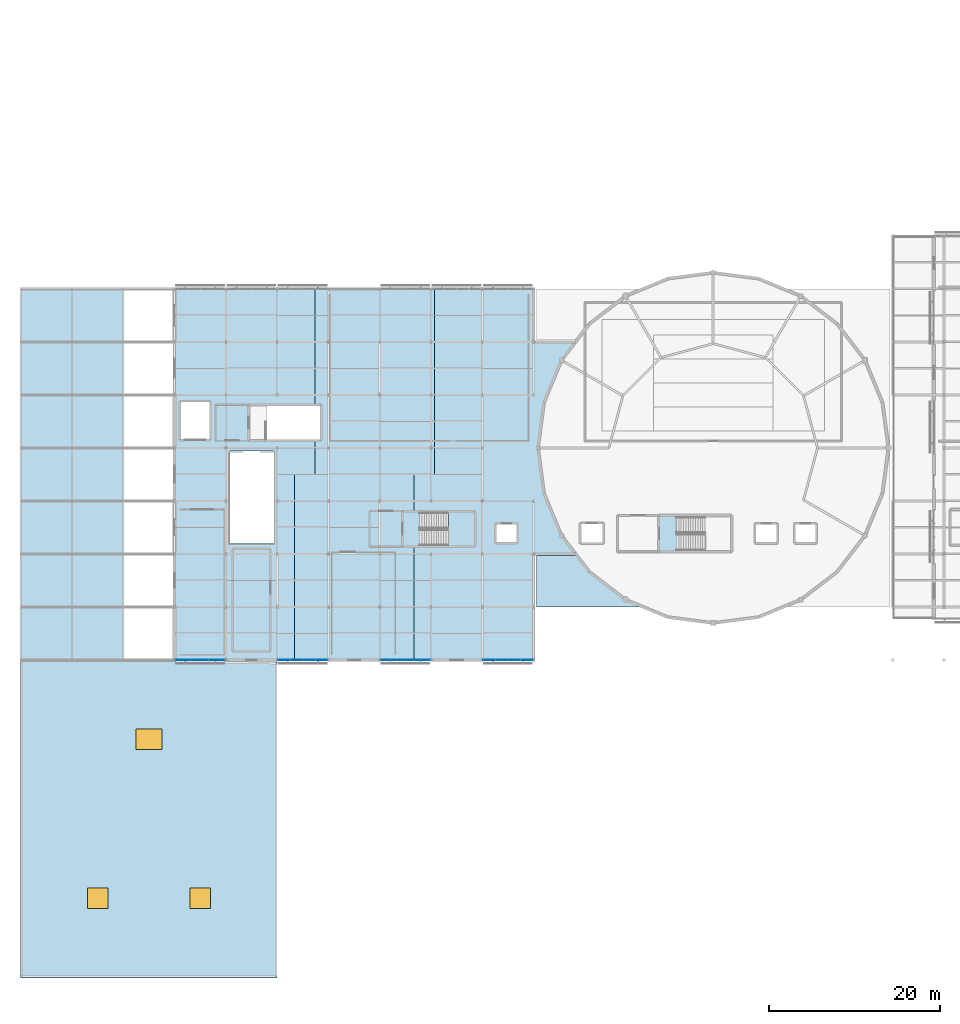
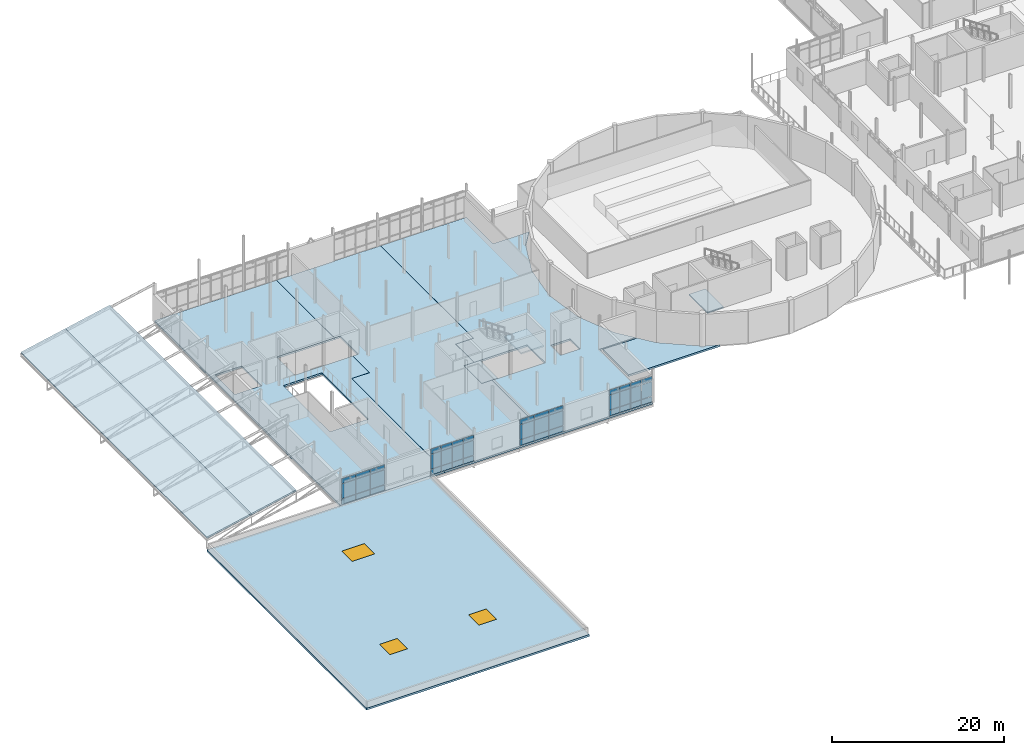
# One storey, part 49 of 84: 42 plates, 10 slabs, 3 windows, 3 openings, 5 elements without a shape of their own.
"""IFC4 building model written with IfcOpenShell, lengths in metres."""

from ifc_helpers import new_model, si_unit, direction, frame, origin, origin_2d, place, context, subcontext, project, spatial, polyline, rectangle, outline, extrude, material, layer, layer_set, type_object, element, fill, aggregate, save


model = new_model("IFC4")

# Units and contexts
model_context = context("Model", 3, precision=1e-05, world=origin(), true_north=direction((0.0, 1.0)))
body_context = subcontext(model_context, "Body", "Model", "MODEL_VIEW")
ifc_project = project(units=[si_unit("LENGTHUNIT", "METRE"), si_unit("AREAUNIT", "SQUARE_METRE"), si_unit("VOLUMEUNIT", "CUBIC_METRE"), si_unit("PLANEANGLEUNIT", "RADIAN"), si_unit("MASSUNIT", "GRAM", prefix="KILO")], contexts=[model_context])

# Site, building, storey
site_placement = place(None, origin())
site = spatial("IfcSite", under=ifc_project, at=site_placement, CompositionType="ELEMENT")
building_placement = place(site_placement, origin())
building = spatial("IfcBuilding", under=site, at=building_placement, Name="Mirzam Square Science Centre", CompositionType="ELEMENT")
storey_placement = place(building_placement, frame((0.0, 0.0, 10.800048828125)))
storey = spatial("IfcBuildingStorey", under=building, at=storey_placement, Name="L02", CompositionType="ELEMENT", Elevation=10.800048828125)

# Curtain wall, plates
ifc_material_1 = material(Name="Anodised Aluminium and Low-E Solar Glass", Category="aluminium")
ifc_layer_1 = layer(ifc_material_1, 0.239990234375)
ifc_layer_set_1 = layer_set([ifc_layer_1], Name="CW-EAST-B")
curtain_wall_type_1 = type_object("IfcCurtainWallType", Name="CW-EAST-B", PredefinedType="USERDEFINED", material=ifc_layer_set_1)
curtain_wall_1_placement = place(storey_placement, origin())
curtain_wall_1 = element("IfcCurtainWall", 1, at=curtain_wall_1_placement, inside=storey, type_object=curtain_wall_type_1, Name="L02 unitised curtain wall 27", ObjectType="UNITISED CURTAIN WALL", PredefinedType="USERDEFINED")
ifc_material_2 = material(Name="Double-Silver Low-E Insulated Solar Glass", Category="glass")
ifc_layer_2 = layer(ifc_material_2, 0.028076171875)
ifc_layer_set_2 = layer_set([ifc_layer_2], Name="CWP-GLZ-28")
plate_type_1 = type_object("IfcPlateType", Name="CWP-GLZ-28", PredefinedType="CURTAIN_PANEL", material=ifc_layer_set_2)
plate_1_placement = place(storey_placement, frame((19.055419921875, 37.199951171875, 0.074951171875), z_axis=(0.0, 0.0, 1.0), x_axis=(1.0, 0.0, 0.0)))
plate_1 = element("IfcPlate", 2, at=plate_1_placement, type_object=plate_type_1, Name="CW-06 panel 1.1", PredefinedType="CURTAIN_PANEL", context=body_context, shape_type="SweptSolid", body=[
    extrude(rectangle(XDim=1.850830078125, YDim=0.028076171875, at=origin_2d()), origin(), (0.0, 0.0, 1.0), 0.78759765625),
])
plate_2_placement = place(storey_placement, frame((19.055419921875, 37.199951171875, 0.9375), z_axis=(0.0, 0.0, 1.0), x_axis=(1.0, 0.0, 0.0)))
plate_2 = element("IfcPlate", 3, at=plate_2_placement, type_object=plate_type_1, Name="CW-06 panel 1.2", PredefinedType="CURTAIN_PANEL", context=body_context, shape_type="SweptSolid", body=[
    extrude(rectangle(XDim=1.850830078125, YDim=0.028076171875, at=origin_2d()), origin(), (0.0, 0.0, 1.0), 2.06494140625),
])
plate_3_placement = place(storey_placement, frame((19.055419921875, 37.199951171875, 3.077392578125), z_axis=(0.0, 0.0, 1.0), x_axis=(1.0, 0.0, 0.0)))
plate_3 = element("IfcPlate", 4, at=plate_3_placement, type_object=plate_type_1, Name="CW-06 panel 1.3", PredefinedType="CURTAIN_PANEL", context=body_context, shape_type="SweptSolid", body=[
    extrude(rectangle(XDim=1.850830078125, YDim=0.028076171875, at=origin_2d()), origin(), (0.0, 0.0, 1.0), 0.6875),
])
plate_4_placement = place(storey_placement, frame((21.0, 37.199951171875, 0.074951171875), z_axis=(0.0, 0.0, 1.0), x_axis=(1.0, 0.0, 0.0)))
plate_4 = element("IfcPlate", 5, at=plate_4_placement, type_object=plate_type_1, Name="CW-06 panel 2.1", PredefinedType="CURTAIN_PANEL", context=body_context, shape_type="SweptSolid", body=[
    extrude(rectangle(XDim=1.888427734375, YDim=0.028076171875, at=origin_2d()), origin(), (0.0, 0.0, 1.0), 0.78759765625),
])
plate_5_placement = place(storey_placement, frame((21.0, 37.199951171875, 0.9375), z_axis=(0.0, 0.0, 1.0), x_axis=(1.0, 0.0, 0.0)))
plate_5 = element("IfcPlate", 6, at=plate_5_placement, type_object=plate_type_1, Name="CW-06 panel 2.2", PredefinedType="CURTAIN_PANEL", context=body_context, shape_type="SweptSolid", body=[
    extrude(rectangle(XDim=1.888427734375, YDim=0.028076171875, at=origin_2d()), origin(), (0.0, 0.0, 1.0), 2.06494140625),
])
plate_6_placement = place(storey_placement, frame((21.0, 37.199951171875, 3.077392578125), z_axis=(0.0, 0.0, 1.0), x_axis=(1.0, 0.0, 0.0)))
plate_6 = element("IfcPlate", 7, at=plate_6_placement, type_object=plate_type_1, Name="CW-06 panel 2.3", PredefinedType="CURTAIN_PANEL", context=body_context, shape_type="SweptSolid", body=[
    extrude(rectangle(XDim=1.888427734375, YDim=0.028076171875, at=origin_2d()), origin(), (0.0, 0.0, 1.0), 0.6875),
])
plate_7_placement = place(storey_placement, frame((22.944580078125, 37.199951171875, 0.074951171875), z_axis=(0.0, 0.0, 1.0), x_axis=(1.0, 0.0, 0.0)))
plate_7 = element("IfcPlate", 8, at=plate_7_placement, type_object=plate_type_1, Name="CW-06 panel 3.1", PredefinedType="CURTAIN_PANEL", context=body_context, shape_type="SweptSolid", body=[
    extrude(rectangle(XDim=1.850830078125, YDim=0.028076171875, at=origin_2d()), origin(), (0.0, 0.0, 1.0), 0.78759765625),
])
plate_8_placement = place(storey_placement, frame((22.944580078125, 37.199951171875, 0.9375), z_axis=(0.0, 0.0, 1.0), x_axis=(1.0, 0.0, 0.0)))
plate_8 = element("IfcPlate", 9, at=plate_8_placement, type_object=plate_type_1, Name="CW-06 panel 3.2", PredefinedType="CURTAIN_PANEL", context=body_context, shape_type="SweptSolid", body=[
    extrude(rectangle(XDim=1.850830078125, YDim=0.028076171875, at=origin_2d()), origin(), (0.0, 0.0, 1.0), 2.06494140625),
])
plate_9_placement = place(storey_placement, frame((22.944580078125, 37.199951171875, 3.077392578125), z_axis=(0.0, 0.0, 1.0), x_axis=(1.0, 0.0, 0.0)))
plate_9 = element("IfcPlate", 10, at=plate_9_placement, type_object=plate_type_1, Name="CW-06 panel 3.3", PredefinedType="CURTAIN_PANEL", context=body_context, shape_type="SweptSolid", body=[
    extrude(rectangle(XDim=1.850830078125, YDim=0.028076171875, at=origin_2d()), origin(), (0.0, 0.0, 1.0), 0.6875),
])
aggregate(curtain_wall_1, [plate_1, plate_2, plate_3, plate_4, plate_5, plate_6, plate_7, plate_8, plate_9])

ifc_layer_3 = layer(ifc_material_1, 0.159912109375)
ifc_layer_set_3 = layer_set([ifc_layer_3], Name="CW-COURT-B")
curtain_wall_type_2 = type_object("IfcCurtainWallType", Name="CW-COURT-B", PredefinedType="USERDEFINED", material=ifc_layer_set_3)
curtain_wall_2_placement = place(storey_placement, origin())
curtain_wall_2 = element("IfcCurtainWall", 11, at=curtain_wall_2_placement, inside=storey, type_object=curtain_wall_type_2, Name="L02 unitised curtain wall 30", ObjectType="UNITISED CURTAIN WALL", PredefinedType="USERDEFINED")
ifc_material_3 = material(Name="Triple-Glazed Acoustic Low-E Solar Glass", Category="glass")
ifc_layer_4 = layer(ifc_material_3, 0.031982421875)
ifc_layer_set_4 = layer_set([ifc_layer_4], Name="CWP-GLZ-32")
plate_type_2 = type_object("IfcPlateType", Name="CWP-GLZ-32", PredefinedType="CURTAIN_PANEL", material=ifc_layer_set_4)
plate_10_placement = place(storey_placement, frame((54.81005859375, 37.199951171875, 0.074951171875), z_axis=(0.0, 0.0, 1.0), x_axis=(1.0, 0.0, 0.0)))
plate_10 = element("IfcPlate", 12, at=plate_10_placement, type_object=plate_type_2, Name="CW-04 panel 1.1", PredefinedType="CURTAIN_PANEL", context=body_context, shape_type="SweptSolid", body=[
    extrude(rectangle(XDim=1.360107421875, YDim=0.031982421875, at=origin_2d()), origin(), (0.0, 0.0, 1.0), 0.78759765625),
])
plate_11_placement = place(storey_placement, frame((54.81005859375, 37.199951171875, 0.9375), z_axis=(0.0, 0.0, 1.0), x_axis=(1.0, 0.0, 0.0)))
plate_11 = element("IfcPlate", 13, at=plate_11_placement, type_object=plate_type_2, Name="CW-04 panel 1.2", PredefinedType="CURTAIN_PANEL", context=body_context, shape_type="SweptSolid", body=[
    extrude(rectangle(XDim=1.360107421875, YDim=0.031982421875, at=origin_2d()), origin(), (0.0, 0.0, 1.0), 2.06494140625),
])
plate_12_placement = place(storey_placement, frame((54.81005859375, 37.199951171875, 3.077392578125), z_axis=(0.0, 0.0, 1.0), x_axis=(1.0, 0.0, 0.0)))
plate_12 = element("IfcPlate", 14, at=plate_12_placement, type_object=plate_type_2, Name="CW-04 panel 1.3", PredefinedType="CURTAIN_PANEL", context=body_context, shape_type="SweptSolid", body=[
    extrude(rectangle(XDim=1.360107421875, YDim=0.031982421875, at=origin_2d()), origin(), (0.0, 0.0, 1.0), 0.6875),
])
plate_13_placement = place(storey_placement, frame((56.263671875, 37.199951171875, 0.074951171875), z_axis=(0.0, 0.0, 1.0), x_axis=(1.0, 0.0, 0.0)))
plate_13 = element("IfcPlate", 15, at=plate_13_placement, type_object=plate_type_2, Name="CW-04 panel 2.1", PredefinedType="CURTAIN_PANEL", context=body_context, shape_type="SweptSolid", body=[
    extrude(rectangle(XDim=1.3974609375, YDim=0.031982421875, at=origin_2d()), origin(), (0.0, 0.0, 1.0), 0.78759765625),
])
plate_14_placement = place(storey_placement, frame((56.263671875, 37.199951171875, 0.9375), z_axis=(0.0, 0.0, 1.0), x_axis=(1.0, 0.0, 0.0)))
plate_14 = element("IfcPlate", 16, at=plate_14_placement, type_object=plate_type_2, Name="CW-04 panel 2.2", PredefinedType="CURTAIN_PANEL", context=body_context, shape_type="SweptSolid", body=[
    extrude(rectangle(XDim=1.3974609375, YDim=0.031982421875, at=origin_2d()), origin(), (0.0, 0.0, 1.0), 2.06494140625),
])
plate_15_placement = place(storey_placement, frame((56.263671875, 37.199951171875, 3.077392578125), z_axis=(0.0, 0.0, 1.0), x_axis=(1.0, 0.0, 0.0)))
plate_15 = element("IfcPlate", 17, at=plate_15_placement, type_object=plate_type_2, Name="CW-04 panel 2.3", PredefinedType="CURTAIN_PANEL", context=body_context, shape_type="SweptSolid", body=[
    extrude(rectangle(XDim=1.3974609375, YDim=0.031982421875, at=origin_2d()), origin(), (0.0, 0.0, 1.0), 0.6875),
])
plate_16_placement = place(storey_placement, frame((57.736328125, 37.199951171875, 0.074951171875), z_axis=(0.0, 0.0, 1.0), x_axis=(1.0, 0.0, 0.0)))
plate_16 = element("IfcPlate", 18, at=plate_16_placement, type_object=plate_type_2, Name="CW-04 panel 3.1", PredefinedType="CURTAIN_PANEL", context=body_context, shape_type="SweptSolid", body=[
    extrude(rectangle(XDim=1.3974609375, YDim=0.031982421875, at=origin_2d()), origin(), (0.0, 0.0, 1.0), 0.78759765625),
])
plate_17_placement = place(storey_placement, frame((57.736328125, 37.199951171875, 0.9375), z_axis=(0.0, 0.0, 1.0), x_axis=(1.0, 0.0, 0.0)))
plate_17 = element("IfcPlate", 19, at=plate_17_placement, type_object=plate_type_2, Name="CW-04 panel 3.2", PredefinedType="CURTAIN_PANEL", context=body_context, shape_type="SweptSolid", body=[
    extrude(rectangle(XDim=1.3974609375, YDim=0.031982421875, at=origin_2d()), origin(), (0.0, 0.0, 1.0), 2.06494140625),
])
plate_18_placement = place(storey_placement, frame((57.736328125, 37.199951171875, 3.077392578125), z_axis=(0.0, 0.0, 1.0), x_axis=(1.0, 0.0, 0.0)))
plate_18 = element("IfcPlate", 20, at=plate_18_placement, type_object=plate_type_2, Name="CW-04 panel 3.3", PredefinedType="CURTAIN_PANEL", context=body_context, shape_type="SweptSolid", body=[
    extrude(rectangle(XDim=1.3974609375, YDim=0.031982421875, at=origin_2d()), origin(), (0.0, 0.0, 1.0), 0.6875),
])
plate_19_placement = place(storey_placement, frame((59.18994140625, 37.199951171875, 0.074951171875), z_axis=(0.0, 0.0, 1.0), x_axis=(1.0, 0.0, 0.0)))
plate_19 = element("IfcPlate", 21, at=plate_19_placement, type_object=plate_type_2, Name="CW-04 panel 4.1", PredefinedType="CURTAIN_PANEL", context=body_context, shape_type="SweptSolid", body=[
    extrude(rectangle(XDim=1.360107421875, YDim=0.031982421875, at=origin_2d()), origin(), (0.0, 0.0, 1.0), 0.78759765625),
])
plate_20_placement = place(storey_placement, frame((59.18994140625, 37.199951171875, 0.9375), z_axis=(0.0, 0.0, 1.0), x_axis=(1.0, 0.0, 0.0)))
plate_20 = element("IfcPlate", 22, at=plate_20_placement, type_object=plate_type_2, Name="CW-04 panel 4.2", PredefinedType="CURTAIN_PANEL", context=body_context, shape_type="SweptSolid", body=[
    extrude(rectangle(XDim=1.360107421875, YDim=0.031982421875, at=origin_2d()), origin(), (0.0, 0.0, 1.0), 2.06494140625),
])
plate_21_placement = place(storey_placement, frame((59.18994140625, 37.199951171875, 3.077392578125), z_axis=(0.0, 0.0, 1.0), x_axis=(1.0, 0.0, 0.0)))
plate_21 = element("IfcPlate", 23, at=plate_21_placement, type_object=plate_type_2, Name="CW-04 panel 4.3", PredefinedType="CURTAIN_PANEL", context=body_context, shape_type="SweptSolid", body=[
    extrude(rectangle(XDim=1.360107421875, YDim=0.031982421875, at=origin_2d()), origin(), (0.0, 0.0, 1.0), 0.6875),
])
aggregate(curtain_wall_2, [plate_10, plate_11, plate_12, plate_13, plate_14, plate_15, plate_16, plate_17, plate_18, plate_19, plate_20, plate_21])

ifc_layer_5 = layer(ifc_material_1, 0.179931640625)
ifc_layer_set_5 = layer_set([ifc_layer_5], Name="CW-LINK-A")
curtain_wall_type_3 = type_object("IfcCurtainWallType", Name="CW-LINK-A", PredefinedType="USERDEFINED", material=ifc_layer_set_5)
curtain_wall_3_placement = place(storey_placement, origin())
curtain_wall_3 = element("IfcCurtainWall", 24, at=curtain_wall_3_placement, inside=storey, type_object=curtain_wall_type_3, Name="L02 unitised curtain wall 28", ObjectType="UNITISED CURTAIN WALL", PredefinedType="USERDEFINED")
ifc_material_4 = material(Name="Laminated Low-Iron Observatory Solar Glass", Category="glass")
ifc_layer_6 = layer(ifc_material_4, 0.035888671875)
ifc_layer_set_6 = layer_set([ifc_layer_6], Name="CWP-GLZ-36")
plate_type_3 = type_object("IfcPlateType", Name="CWP-GLZ-36", PredefinedType="CURTAIN_PANEL", material=ifc_layer_set_6)
plate_22_placement = place(storey_placement, frame((30.8076171875, 37.199951171875, 0.06494140625), z_axis=(0.0, 0.0, 1.0), x_axis=(1.0, 0.0, 0.0)))
plate_22 = element("IfcPlate", 25, at=plate_22_placement, type_object=plate_type_3, Name="CW-08 panel 1.1", PredefinedType="CURTAIN_PANEL", context=body_context, shape_type="SweptSolid", body=[
    extrude(rectangle(XDim=1.375, YDim=0.035888671875, at=origin_2d()), origin(), (0.0, 0.0, 1.0), 0.802490234375),
])
plate_23_placement = place(storey_placement, frame((30.8076171875, 37.199951171875, 0.9326171875), z_axis=(0.0, 0.0, 1.0), x_axis=(1.0, 0.0, 0.0)))
plate_23 = element("IfcPlate", 26, at=plate_23_placement, type_object=plate_type_3, Name="CW-08 panel 1.2", PredefinedType="CURTAIN_PANEL", context=body_context, shape_type="SweptSolid", body=[
    extrude(rectangle(XDim=1.375, YDim=0.035888671875, at=origin_2d()), origin(), (0.0, 0.0, 1.0), 2.074951171875),
])
plate_24_placement = place(storey_placement, frame((30.8076171875, 37.199951171875, 3.072265625), z_axis=(0.0, 0.0, 1.0), x_axis=(1.0, 0.0, 0.0)))
plate_24 = element("IfcPlate", 27, at=plate_24_placement, type_object=plate_type_3, Name="CW-08 panel 1.3", PredefinedType="CURTAIN_PANEL", context=body_context, shape_type="SweptSolid", body=[
    extrude(rectangle(XDim=1.375, YDim=0.035888671875, at=origin_2d()), origin(), (0.0, 0.0, 1.0), 0.702392578125),
])
plate_25_placement = place(storey_placement, frame((32.263671875, 37.199951171875, 0.06494140625), z_axis=(0.0, 0.0, 1.0), x_axis=(1.0, 0.0, 0.0)))
plate_25 = element("IfcPlate", 28, at=plate_25_placement, type_object=plate_type_3, Name="CW-08 panel 2.1", PredefinedType="CURTAIN_PANEL", context=body_context, shape_type="SweptSolid", body=[
    extrude(rectangle(XDim=1.407470703125, YDim=0.035888671875, at=origin_2d()), origin(), (0.0, 0.0, 1.0), 0.802490234375),
])
plate_26_placement = place(storey_placement, frame((32.263671875, 37.199951171875, 0.9326171875), z_axis=(0.0, 0.0, 1.0), x_axis=(1.0, 0.0, 0.0)))
plate_26 = element("IfcPlate", 29, at=plate_26_placement, type_object=plate_type_3, Name="CW-08 panel 2.2", PredefinedType="CURTAIN_PANEL", context=body_context, shape_type="SweptSolid", body=[
    extrude(rectangle(XDim=1.407470703125, YDim=0.035888671875, at=origin_2d()), origin(), (0.0, 0.0, 1.0), 2.074951171875),
])
plate_27_placement = place(storey_placement, frame((32.263671875, 37.199951171875, 3.072265625), z_axis=(0.0, 0.0, 1.0), x_axis=(1.0, 0.0, 0.0)))
plate_27 = element("IfcPlate", 30, at=plate_27_placement, type_object=plate_type_3, Name="CW-08 panel 2.3", PredefinedType="CURTAIN_PANEL", context=body_context, shape_type="SweptSolid", body=[
    extrude(rectangle(XDim=1.407470703125, YDim=0.035888671875, at=origin_2d()), origin(), (0.0, 0.0, 1.0), 0.702392578125),
])
plate_28_placement = place(storey_placement, frame((33.736328125, 37.199951171875, 0.06494140625), z_axis=(0.0, 0.0, 1.0), x_axis=(1.0, 0.0, 0.0)))
plate_28 = element("IfcPlate", 31, at=plate_28_placement, type_object=plate_type_3, Name="CW-08 panel 3.1", PredefinedType="CURTAIN_PANEL", context=body_context, shape_type="SweptSolid", body=[
    extrude(rectangle(XDim=1.407470703125, YDim=0.035888671875, at=origin_2d()), origin(), (0.0, 0.0, 1.0), 0.802490234375),
])
plate_29_placement = place(storey_placement, frame((33.736328125, 37.199951171875, 0.9326171875), z_axis=(0.0, 0.0, 1.0), x_axis=(1.0, 0.0, 0.0)))
plate_29 = element("IfcPlate", 32, at=plate_29_placement, type_object=plate_type_3, Name="CW-08 panel 3.2", PredefinedType="CURTAIN_PANEL", context=body_context, shape_type="SweptSolid", body=[
    extrude(rectangle(XDim=1.407470703125, YDim=0.035888671875, at=origin_2d()), origin(), (0.0, 0.0, 1.0), 2.074951171875),
])
plate_30_placement = place(storey_placement, frame((33.736328125, 37.199951171875, 3.072265625), z_axis=(0.0, 0.0, 1.0), x_axis=(1.0, 0.0, 0.0)))
plate_30 = element("IfcPlate", 33, at=plate_30_placement, type_object=plate_type_3, Name="CW-08 panel 3.3", PredefinedType="CURTAIN_PANEL", context=body_context, shape_type="SweptSolid", body=[
    extrude(rectangle(XDim=1.407470703125, YDim=0.035888671875, at=origin_2d()), origin(), (0.0, 0.0, 1.0), 0.702392578125),
])
plate_31_placement = place(storey_placement, frame((35.1923828125, 37.199951171875, 0.06494140625), z_axis=(0.0, 0.0, 1.0), x_axis=(1.0, 0.0, 0.0)))
plate_31 = element("IfcPlate", 34, at=plate_31_placement, type_object=plate_type_3, Name="CW-08 panel 4.1", PredefinedType="CURTAIN_PANEL", context=body_context, shape_type="SweptSolid", body=[
    extrude(rectangle(XDim=1.375, YDim=0.035888671875, at=origin_2d()), origin(), (0.0, 0.0, 1.0), 0.802490234375),
])
plate_32_placement = place(storey_placement, frame((35.1923828125, 37.199951171875, 0.9326171875), z_axis=(0.0, 0.0, 1.0), x_axis=(1.0, 0.0, 0.0)))
plate_32 = element("IfcPlate", 35, at=plate_32_placement, type_object=plate_type_3, Name="CW-08 panel 4.2", PredefinedType="CURTAIN_PANEL", context=body_context, shape_type="SweptSolid", body=[
    extrude(rectangle(XDim=1.375, YDim=0.035888671875, at=origin_2d()), origin(), (0.0, 0.0, 1.0), 2.074951171875),
])
plate_33_placement = place(storey_placement, frame((35.1923828125, 37.199951171875, 3.072265625), z_axis=(0.0, 0.0, 1.0), x_axis=(1.0, 0.0, 0.0)))
plate_33 = element("IfcPlate", 36, at=plate_33_placement, type_object=plate_type_3, Name="CW-08 panel 4.3", PredefinedType="CURTAIN_PANEL", context=body_context, shape_type="SweptSolid", body=[
    extrude(rectangle(XDim=1.375, YDim=0.035888671875, at=origin_2d()), origin(), (0.0, 0.0, 1.0), 0.702392578125),
])
aggregate(curtain_wall_3, [plate_22, plate_23, plate_24, plate_25, plate_26, plate_27, plate_28, plate_29, plate_30, plate_31, plate_32, plate_33])

ifc_layer_7 = layer(ifc_material_1, 0.199951171875)
ifc_layer_set_7 = layer_set([ifc_layer_7], Name="CW-PARK-B")
curtain_wall_type_4 = type_object("IfcCurtainWallType", Name="CW-PARK-B", PredefinedType="USERDEFINED", material=ifc_layer_set_7)
curtain_wall_4_placement = place(storey_placement, origin())
curtain_wall_4 = element("IfcCurtainWall", 37, at=curtain_wall_4_placement, inside=storey, type_object=curtain_wall_type_4, Name="L02 unitised curtain wall 29", ObjectType="UNITISED CURTAIN WALL", PredefinedType="USERDEFINED")
ifc_material_5 = material(Name="Acoustic Laminated Solar Spandrel Glass", Category="glass")
ifc_layer_8 = layer(ifc_material_5, 0.0400390625)
ifc_layer_set_8 = layer_set([ifc_layer_8], Name="CWP-GLZ-40")
plate_type_4 = type_object("IfcPlateType", Name="CWP-GLZ-40", PredefinedType="CURTAIN_PANEL", material=ifc_layer_set_8)
plate_34_placement = place(storey_placement, frame((43.0517578125, 37.199951171875, 0.059814453125), z_axis=(0.0, 0.0, 1.0), x_axis=(1.0, 0.0, 0.0)))
plate_34 = element("IfcPlate", 38, at=plate_34_placement, type_object=plate_type_4, Name="CW-02 panel 1.1", PredefinedType="CURTAIN_PANEL", context=body_context, shape_type="SweptSolid", body=[
    extrude(rectangle(XDim=1.873291015625, YDim=0.0400390625, at=origin_2d()), origin(), (0.0, 0.0, 1.0), 0.81005859375),
])
plate_35_placement = place(storey_placement, frame((43.0517578125, 37.199951171875, 0.929931640625), z_axis=(0.0, 0.0, 1.0), x_axis=(1.0, 0.0, 0.0)))
plate_35 = element("IfcPlate", 39, at=plate_35_placement, type_object=plate_type_4, Name="CW-02 panel 1.2", PredefinedType="CURTAIN_PANEL", context=body_context, shape_type="SweptSolid", body=[
    extrude(rectangle(XDim=1.873291015625, YDim=0.0400390625, at=origin_2d()), origin(), (0.0, 0.0, 1.0), 2.080078125),
])
plate_36_placement = place(storey_placement, frame((43.0517578125, 37.199951171875, 3.070068359375), z_axis=(0.0, 0.0, 1.0), x_axis=(1.0, 0.0, 0.0)))
plate_36 = element("IfcPlate", 40, at=plate_36_placement, type_object=plate_type_4, Name="CW-02 panel 1.3", PredefinedType="CURTAIN_PANEL", context=body_context, shape_type="SweptSolid", body=[
    extrude(rectangle(XDim=1.873291015625, YDim=0.0400390625, at=origin_2d()), origin(), (0.0, 0.0, 1.0), 0.7099609375),
])
plate_37_placement = place(storey_placement, frame((45.0, 37.199951171875, 0.059814453125), z_axis=(0.0, 0.0, 1.0), x_axis=(1.0, 0.0, 0.0)))
plate_37 = element("IfcPlate", 41, at=plate_37_placement, type_object=plate_type_4, Name="CW-02 panel 2.1", PredefinedType="CURTAIN_PANEL", context=body_context, shape_type="SweptSolid", body=[
    extrude(rectangle(XDim=1.9033203125, YDim=0.0400390625, at=origin_2d()), origin(), (0.0, 0.0, 1.0), 0.81005859375),
])
plate_38_placement = place(storey_placement, frame((45.0, 37.199951171875, 0.929931640625), z_axis=(0.0, 0.0, 1.0), x_axis=(1.0, 0.0, 0.0)))
plate_38 = element("IfcPlate", 42, at=plate_38_placement, type_object=plate_type_4, Name="CW-02 panel 2.2", PredefinedType="CURTAIN_PANEL", context=body_context, shape_type="SweptSolid", body=[
    extrude(rectangle(XDim=1.9033203125, YDim=0.0400390625, at=origin_2d()), origin(), (0.0, 0.0, 1.0), 2.080078125),
])
plate_39_placement = place(storey_placement, frame((45.0, 37.199951171875, 3.070068359375), z_axis=(0.0, 0.0, 1.0), x_axis=(1.0, 0.0, 0.0)))
plate_39 = element("IfcPlate", 43, at=plate_39_placement, type_object=plate_type_4, Name="CW-02 panel 2.3", PredefinedType="CURTAIN_PANEL", context=body_context, shape_type="SweptSolid", body=[
    extrude(rectangle(XDim=1.9033203125, YDim=0.0400390625, at=origin_2d()), origin(), (0.0, 0.0, 1.0), 0.7099609375),
])
plate_40_placement = place(storey_placement, frame((46.9482421875, 37.199951171875, 0.059814453125), z_axis=(0.0, 0.0, 1.0), x_axis=(1.0, 0.0, 0.0)))
plate_40 = element("IfcPlate", 44, at=plate_40_placement, type_object=plate_type_4, Name="CW-02 panel 3.1", PredefinedType="CURTAIN_PANEL", context=body_context, shape_type="SweptSolid", body=[
    extrude(rectangle(XDim=1.873291015625, YDim=0.0400390625, at=origin_2d()), origin(), (0.0, 0.0, 1.0), 0.81005859375),
])
plate_41_placement = place(storey_placement, frame((46.9482421875, 37.199951171875, 0.929931640625), z_axis=(0.0, 0.0, 1.0), x_axis=(1.0, 0.0, 0.0)))
plate_41 = element("IfcPlate", 45, at=plate_41_placement, type_object=plate_type_4, Name="CW-02 panel 3.2", PredefinedType="CURTAIN_PANEL", context=body_context, shape_type="SweptSolid", body=[
    extrude(rectangle(XDim=1.873291015625, YDim=0.0400390625, at=origin_2d()), origin(), (0.0, 0.0, 1.0), 2.080078125),
])
plate_42_placement = place(storey_placement, frame((46.9482421875, 37.199951171875, 3.070068359375), z_axis=(0.0, 0.0, 1.0), x_axis=(1.0, 0.0, 0.0)))
plate_42 = element("IfcPlate", 46, at=plate_42_placement, type_object=plate_type_4, Name="CW-02 panel 3.3", PredefinedType="CURTAIN_PANEL", context=body_context, shape_type="SweptSolid", body=[
    extrude(rectangle(XDim=1.873291015625, YDim=0.0400390625, at=origin_2d()), origin(), (0.0, 0.0, 1.0), 0.7099609375),
])
aggregate(curtain_wall_4, [plate_34, plate_35, plate_36, plate_37, plate_38, plate_39, plate_40, plate_41, plate_42])

# Slabs
ifc_material_6 = material(Name="Concrete C40/50", Category="concrete")
ifc_layer_9 = layer(ifc_material_6, 0.260009765625)
ifc_layer_set_9 = layer_set([ifc_layer_9], Name="SL-EXH-260")
slab_type_1 = type_object("IfcSlabType", Name="SL-EXH-260", PredefinedType="FLOOR", material=ifc_layer_set_9)
slab_1_placement = place(storey_placement, frame((0.0, 0.0, -0.260009765625)))
element("IfcSlab", 47, at=slab_1_placement, inside=storey, type_object=slab_type_1, Name="L02 wedge 1 slab", PredefinedType="FLOOR", context=body_context, shape_type="SweptSolid", body=[
    extrude(outline(polyline([(32.0, 58.89990234375), (32.0, 37.199951171875), (18.0, 37.199951171875), (18.0, 80.60009765625), (34.39990234375, 80.60009765625), (34.39990234375, 67.050048828125), (26.639892578125, 67.050048828125), (26.639892578125, 62.840087890625), (34.39990234375, 62.840087890625), (34.39990234375, 58.89990234375), (32.0, 58.89990234375)]), holes=[polyline([(29.60009765625, 61.64990234375), (24.39990234375, 61.64990234375), (24.39990234375, 50.800048828125), (29.60009765625, 50.800048828125), (29.60009765625, 61.64990234375)]), polyline([(22.199951171875, 67.5), (18.60009765625, 67.5), (18.60009765625, 62.89990234375), (22.199951171875, 62.89990234375), (22.199951171875, 67.5)])]), origin(), (0.0, 0.0, 1.0), 0.260009765625),
])
slab_2_placement = place(storey_placement, frame((0.0, 0.0, -0.260009765625)))
element("IfcSlab", 48, at=slab_2_placement, inside=storey, type_object=slab_type_1, Name="L02 wedge 2 slab", PredefinedType="FLOOR", context=body_context, shape_type="SweptSolid", body=[
    extrude(outline(polyline([(32.0048828125, 37.199951171875), (32.0048828125, 58.89501953125), (34.405029296875, 58.89501953125), (34.405029296875, 62.840087890625), (35.159912109375, 62.840087890625), (35.159912109375, 67.050048828125), (34.405029296875, 67.050048828125), (34.405029296875, 80.60009765625), (48.39990234375, 80.60009765625), (48.39990234375, 58.89990234375), (46.0, 58.89990234375), (46.0, 54.610107421875), (44.639892578125, 54.610107421875), (44.639892578125, 50.43994140625), (46.0, 50.43994140625), (46.0, 37.199951171875), (32.0048828125, 37.199951171875)])), origin(), (0.0, 0.0, 1.0), 0.260009765625),
])
slab_3_placement = place(storey_placement, frame((0.0, 0.0, -0.260009765625)))
element("IfcSlab", 49, at=slab_3_placement, inside=storey, type_object=slab_type_1, Name="L02 wedge 3 slab", PredefinedType="FLOOR", context=body_context, shape_type="SweptSolid", body=[
    extrude(outline(polyline([(53.159912109375, 50.43994140625), (53.159912109375, 54.610107421875), (46.0048828125, 54.610107421875), (46.0048828125, 58.89501953125), (48.405029296875, 58.89501953125), (48.405029296875, 80.60009765625), (60.0, 80.60009765625), (60.0, 74.39990234375), (64.8212890625, 74.39990234375), (63.194580078125, 72.280029296875), (61.140625, 67.3212890625), (60.43994140625, 62.0), (61.140625, 56.6787109375), (63.194580078125, 51.719970703125), (64.8212890625, 49.60009765625), (60.0, 49.60009765625), (60.0, 37.199951171875), (46.0048828125, 37.199951171875), (46.0048828125, 50.43994140625), (53.159912109375, 50.43994140625)]), holes=[polyline([(58.10009765625, 53.14990234375), (55.5, 53.14990234375), (55.5, 50.85009765625), (58.10009765625, 50.85009765625), (58.10009765625, 53.14990234375)])]), origin(), (0.0, 0.0, 1.0), 0.260009765625),
])

# Stair, slab
stair_type = type_object("IfcStairType", Name="ST-CORE-1-480", PredefinedType="HALF_TURN_STAIR", material=ifc_material_6)
stair_placement = place(storey_placement, origin())
stair = element("IfcStair", 50, at=stair_placement, inside=storey, type_object=stair_type, Name="L02 ST-01", PredefinedType="HALF_TURN_STAIR")
ifc_layer_10 = layer(ifc_material_6, 0.199951171875)
ifc_layer_set_10 = layer_set([ifc_layer_10], Name="SL-LANDING-200")
slab_type_2 = type_object("IfcSlabType", Name="SL-LANDING-200", PredefinedType="LANDING", material=ifc_layer_set_10)
slab_4_placement = place(storey_placement, frame((0.0, 0.0, 2.199951171875)))
slab_4 = element("IfcSlab", 51, at=slab_4_placement, type_object=slab_type_2, Name="ST-01 landing 1", PredefinedType="LANDING", context=body_context, shape_type="SweptSolid", body=[
    extrude(outline(polyline([(50.010009765625, 50.550048828125), (53.050048828125, 50.550048828125), (53.050048828125, 54.5), (50.010009765625, 54.5), (50.010009765625, 50.550048828125)])), origin(), (0.0, 0.0, 1.0), 0.199951171875),
])
aggregate(stair, [slab_4])

# Slabs
slab_5_placement = place(storey_placement, frame((0.0, 0.0, -0.199951171875)))
element("IfcSlab", 52, at=slab_5_placement, inside=storey, type_object=slab_type_2, Name="L02 CORE-1 floor landing", PredefinedType="LANDING", context=body_context, shape_type="SweptSolid", body=[
    extrude(outline(polyline([(46.800048828125, 50.445068359375), (44.64501953125, 50.445068359375), (44.64501953125, 54.60498046875), (46.800048828125, 54.60498046875), (46.800048828125, 50.445068359375)])), origin(), (0.0, 0.0, 1.0), 0.199951171875),
])
slab_6_placement = place(storey_placement, frame((0.0, 0.0, -0.199951171875)))
element("IfcSlab", 53, at=slab_6_placement, inside=storey, type_object=slab_type_2, Name="L02 CORE-3 floor landing", PredefinedType="LANDING", context=body_context, shape_type="SweptSolid", body=[
    extrude(outline(polyline([(76.840087890625, 49.844970703125), (74.64501953125, 49.844970703125), (74.64501953125, 54.0849609375), (76.840087890625, 54.0849609375), (76.840087890625, 49.844970703125)])), origin(), (0.0, 0.0, 1.0), 0.199951171875),
])
ifc_material_7 = material(Name="Insulated Courtyard Link Roof Concrete C40/50", Category="concrete")
ifc_layer_11 = layer(ifc_material_7, 0.264892578125)
ifc_layer_set_11 = layer_set([ifc_layer_11], Name="SL-LINK-ROOF-265")
slab_type_3 = type_object("IfcSlabType", Name="SL-LINK-ROOF-265", PredefinedType="ROOF", material=ifc_layer_set_11)
slab_7_placement = place(storey_placement, frame((0.0, 0.0, -0.26513671875)))
element("IfcSlab", 54, at=slab_7_placement, inside=storey, type_object=slab_type_3, Name="Central court link roof 1", PredefinedType="ROOF", context=body_context, shape_type="SweptSolid", body=[
    extrude(outline(polyline([(64.974609375, 49.39990234375), (66.4619140625, 47.4619140625), (70.719970703125, 44.194580078125), (72.63818359375, 43.39990234375), (60.35009765625, 43.39990234375), (60.35009765625, 49.39990234375), (64.974609375, 49.39990234375)])), origin(), (0.0, 0.0, 1.0), 0.26513671875),
])

# Slab, openings, windows
ifc_material_8 = material(Name="Acoustic Composite Roof Concrete C40/50", Category="concrete")
ifc_layer_12 = layer(ifc_material_8, 0.27001953125)
ifc_layer_set_12 = layer_set([ifc_layer_12], Name="SL-THEATRE-ROOF-270")
slab_type_4 = type_object("IfcSlabType", Name="SL-THEATRE-ROOF-270", PredefinedType="ROOF", material=ifc_layer_set_12)
slab_8_placement = place(storey_placement, frame((0.0, 0.0, -0.27001953125)))
slab_8 = element("IfcSlab", 55, at=slab_8_placement, inside=storey, type_object=slab_type_4, Name="South-west discovery wing roof slab", PredefinedType="ROOF", context=body_context, shape_type="SweptSolid", body=[
    extrude(outline(polyline([(30.0, 0.0), (0.0, 0.0), (0.0, 37.199951171875), (30.0, 37.195068359375), (30.0, 0.0)])), origin(), (0.0, 0.0, 1.0), 0.27001953125),
])
opening_1_placement = place(slab_8_placement, frame((9.0, 9.300048828125, -0.010009765625)))
opening_1 = element("IfcOpeningElement", 56, at=opening_1_placement, cuts=slab_8, Name="Opening SK-01", PredefinedType="OPENING", context=body_context, shape_type="SweptSolid", body=[
    extrude(rectangle(XDim=2.39990234375, YDim=2.39990234375, at=origin_2d()), origin(), (0.0, 0.0, 1.0), 0.2900390625),
])
opening_2_placement = place(slab_8_placement, frame((21.0, 9.300048828125, -0.010009765625)))
opening_2 = element("IfcOpeningElement", 57, at=opening_2_placement, cuts=slab_8, Name="Opening SK-01", PredefinedType="OPENING", context=body_context, shape_type="SweptSolid", body=[
    extrude(rectangle(XDim=2.39990234375, YDim=2.39990234375, at=origin_2d()), origin(), (0.0, 0.0, 1.0), 0.2900390625),
])
opening_3_placement = place(slab_8_placement, frame((15.0, 27.89990234375, -0.010009765625)))
opening_3 = element("IfcOpeningElement", 58, at=opening_3_placement, cuts=slab_8, Name="Opening SK-02", PredefinedType="OPENING", context=body_context, shape_type="SweptSolid", body=[
    extrude(rectangle(XDim=3.0, YDim=2.39990234375, at=origin_2d()), origin(), (0.0, 0.0, 1.0), 0.2900390625),
])
ifc_material_9 = material(Name="Shaded Triple-Glazed Low-E Skylight Glass", Category="glass")
window_type_1 = type_object("IfcWindowType", Name="SKY-2400x2400", PartitioningType="SINGLE_PANEL", PredefinedType="SKYLIGHT", material=ifc_material_9)
window_1_placement = place(slab_8_placement, frame((9.0, 9.300048828125, 0.219970703125)))
window_1 = element("IfcWindow", 59, at=window_1_placement, inside=storey, type_object=window_type_1, Name="L02 shaded gallery skylight 01", OverallHeight=2.39990234375, OverallWidth=2.39990234375, PartitioningType="SINGLE_PANEL", PredefinedType="SKYLIGHT", context=body_context, shape_type="SweptSolid", body=[
    extrude(rectangle(XDim=2.39990234375, YDim=2.39990234375, at=origin_2d()), origin(), (0.0, 0.0, 1.0), 0.050048828125),
])
fill(opening_1, window_1)
window_2_placement = place(slab_8_placement, frame((21.0, 9.300048828125, 0.219970703125)))
window_2 = element("IfcWindow", 60, at=window_2_placement, inside=storey, type_object=window_type_1, Name="L02 shaded gallery skylight 02", OverallHeight=2.39990234375, OverallWidth=2.39990234375, PartitioningType="SINGLE_PANEL", PredefinedType="SKYLIGHT", context=body_context, shape_type="SweptSolid", body=[
    extrude(rectangle(XDim=2.39990234375, YDim=2.39990234375, at=origin_2d()), origin(), (0.0, 0.0, 1.0), 0.050048828125),
])
fill(opening_2, window_2)
window_type_2 = type_object("IfcWindowType", Name="SKY-3000x2400", PartitioningType="SINGLE_PANEL", PredefinedType="SKYLIGHT", material=ifc_material_9)
window_3_placement = place(slab_8_placement, frame((15.0, 27.89990234375, 0.219970703125)))
window_3 = element("IfcWindow", 61, at=window_3_placement, inside=storey, type_object=window_type_2, Name="L02 shaded gallery skylight 03", OverallHeight=2.39990234375, OverallWidth=3.0, PartitioningType="SINGLE_PANEL", PredefinedType="SKYLIGHT", context=body_context, shape_type="SweptSolid", body=[
    extrude(rectangle(XDim=3.0, YDim=2.39990234375, at=origin_2d()), origin(), (0.0, 0.0, 1.0), 0.050048828125),
])
fill(opening_3, window_3)

# Slabs
ifc_material_10 = material(Name="Zinc-Clad Insulated Concrete Deck C40/50", Category="concrete")
ifc_layer_13 = layer(ifc_material_10, 0.2099609375)
ifc_layer_set_13 = layer_set([ifc_layer_13], Name="SL-WEDGE-ROOF-210")
slab_type_5 = type_object("IfcSlabType", Name="SL-WEDGE-ROOF-210", PredefinedType="ROOF", material=ifc_layer_set_13)
for number, where, z_axis, x_axis, name in (
    (62, (0.0, 37.199951171875, 1.800048828125), (-0.205518759868, 0.0, 0.978653176229), (0.978653176229, 0.0, 0.205518759868), "West exhibition wedge sloped roof bay 01"),
    (63, (6.0, 37.199951171875, 3.06005859375), (-0.205518759868, 0.0, 0.978653176229), (0.978653176229, 0.0, 0.205518759868), "West exhibition wedge sloped roof bay 02"),
):
    element("IfcSlab", number, at=place(storey_placement, frame(where, z_axis=z_axis, x_axis=x_axis)), inside=storey, type_object=slab_type_5, Name=name, PredefinedType="ROOF", context=body_context, shape_type="SweptSolid", body=[
        extrude(outline(polyline([(0.0, 0.0), (6.130874701824395, 0.0), (6.130874701824395, 43.40014648437499), (0.0, 43.40014648437499), (0.0, 0.0)])), origin(), (0.0, 0.0, -1.0), 0.2099609375),
    ])

save(model, "model.ifc")
